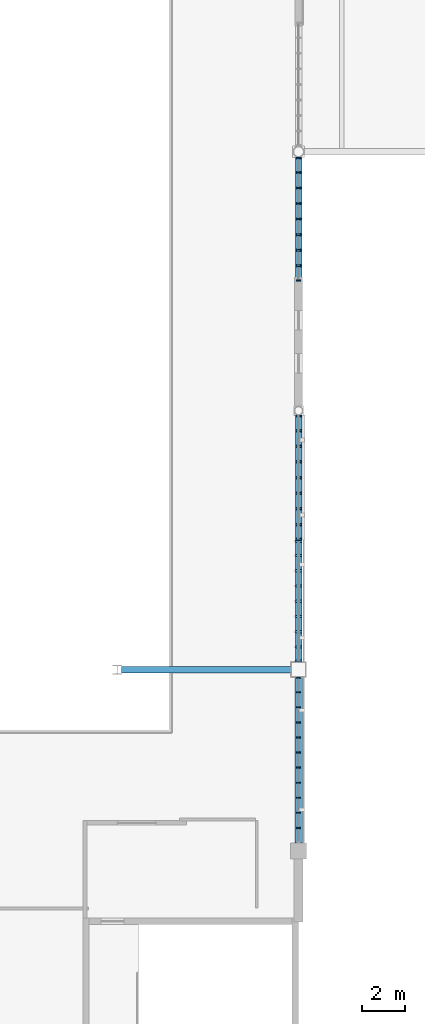
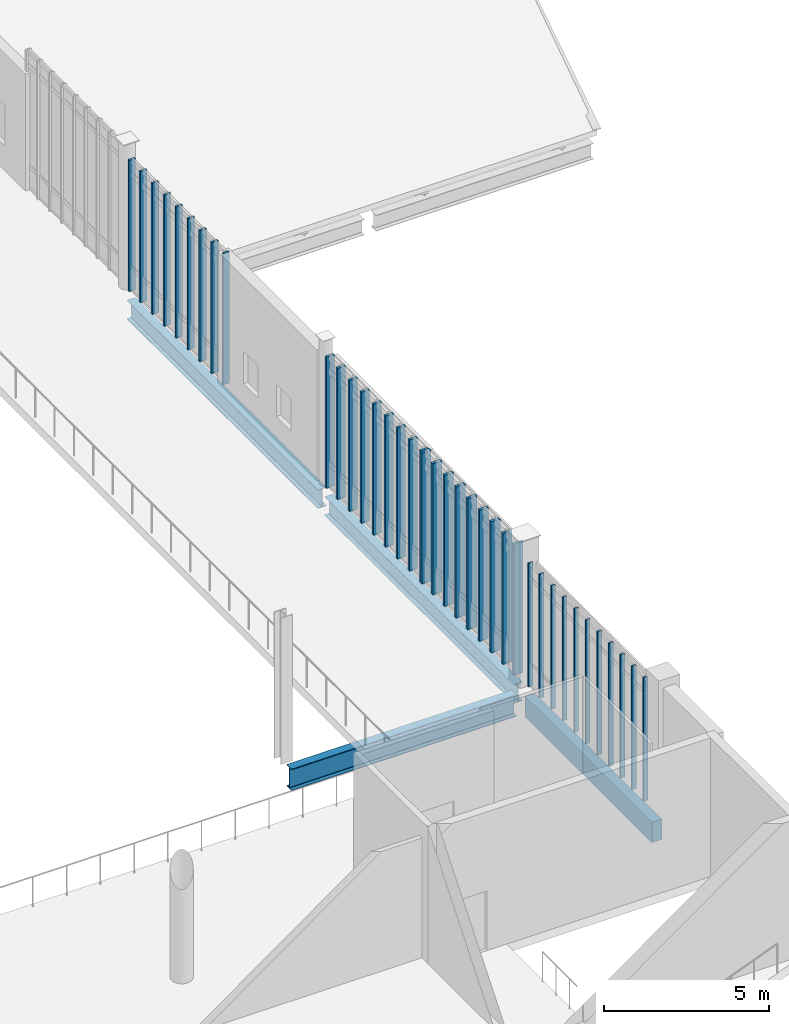
# One storey, part 16 of 135: 38 members, 4 beams, 4 elements without a shape of their own.
"""IFC4 building model written with IfcOpenShell, lengths in metres."""

from ifc_helpers import new_model, si_unit, direction, frame, origin, origin_2d, place, context, subcontext, project, spatial, rectangle, i_section, extrude, material, material_profile, profile_set, type_object, element, aggregate, save


model = new_model("IFC4")

# Units and contexts
model_context = context("Model", 3, precision=1e-05, world=origin(), true_north=direction((0.0, 1.0)))
body_context = subcontext(model_context, "Body", "Model", "MODEL_VIEW")
ifc_project = project(units=[si_unit("LENGTHUNIT", "METRE"), si_unit("AREAUNIT", "SQUARE_METRE"), si_unit("VOLUMEUNIT", "CUBIC_METRE"), si_unit("PLANEANGLEUNIT", "RADIAN"), si_unit("MASSUNIT", "GRAM", prefix="KILO")], contexts=[model_context])

# Site, building, storey
site_placement = place(None, origin())
site = spatial("IfcSite", under=ifc_project, at=site_placement, CompositionType="ELEMENT")
building_placement = place(site_placement, origin())
building = spatial("IfcBuilding", under=site, at=building_placement, Name="Larkvane Passage Sports Hall", CompositionType="ELEMENT")
storey_placement = place(building_placement, frame((0.0, 0.0, 16.800048828125)))
storey = spatial("IfcBuildingStorey", under=building, at=storey_placement, Name="L03", CompositionType="ELEMENT", Elevation=16.800048828125)

# Beams
ifc_material_1 = material(Name="Steel S460N", Category="steel")
ifc_material_profile_1 = material_profile(ifc_material_1, i_section(OverallWidth=0.300048828125, OverallDepth=0.69189453125, WebThickness=0.012939453125, FlangeThickness=0.02001953125, FilletRadius=0.02197265625, at=origin_2d()), Name="H-692x300x13x20")
ifc_profile_set_1 = profile_set([ifc_material_profile_1], Name="Steel S460N")
beam_type_1 = type_object("IfcBeamType", Name="BM-STL-H692", PredefinedType="BEAM", material=ifc_profile_set_1)
beam_1_placement = place(storey_placement, frame((93.60009765625, 39.949951171875, -0.68603515625), z_axis=(0.0, 1.0, 0.0), x_axis=(-1.0, 0.0, 0.0)))
element("IfcBeam", 1, at=beam_1_placement, inside=storey, type_object=beam_type_1, Name="Girder BM5-Y-L03-13-1034", PredefinedType="BEAM", context=body_context, shape_type="SweptSolid", body=[
    extrude(i_section(OverallWidth=0.300048828125, OverallDepth=0.69189453125, WebThickness=0.012939453125, FlangeThickness=0.02001953125, FilletRadius=0.02197265625, at=origin_2d()), origin(), (0.0, 0.0, 1.0), 11.44677734375),
])
ifc_material_profile_2 = material_profile(ifc_material_1, i_section(OverallWidth=0.300048828125, OverallDepth=0.699951171875, WebThickness=0.012939453125, FlangeThickness=0.02392578125, FilletRadius=0.02197265625, at=origin_2d()), Name="H-700x300x13x24")
ifc_profile_set_2 = profile_set([ifc_material_profile_2], Name="Steel S460N")
beam_type_2 = type_object("IfcBeamType", Name="BM-STL-H700", PredefinedType="BEAM", material=ifc_profile_set_2)
beam_2_placement = place(storey_placement, frame((93.60009765625, 51.80322265625, -0.68994140625), z_axis=(0.0, 1.0, 0.0), x_axis=(-1.0, 0.0, 0.0)))
element("IfcBeam", 2, at=beam_2_placement, inside=storey, type_object=beam_type_2, Name="Girder BM5-Y-L03-13-1035", PredefinedType="BEAM", context=body_context, shape_type="SweptSolid", body=[
    extrude(i_section(OverallWidth=0.300048828125, OverallDepth=0.699951171875, WebThickness=0.012939453125, FlangeThickness=0.02392578125, FilletRadius=0.02197265625, at=origin_2d()), origin(), (0.0, 0.0, 1.0), 11.542724609375),
])
ifc_material_profile_3 = material_profile(ifc_material_1, i_section(OverallWidth=0.300048828125, OverallDepth=0.800048828125, WebThickness=0.013916015625, FlangeThickness=0.02587890625, FilletRadius=0.02197265625, at=origin_2d()), Name="H-800x300x14x26")
ifc_profile_set_3 = profile_set([ifc_material_profile_3], Name="Steel S460N")
beam_type_3 = type_object("IfcBeamType", Name="BM-STL-H800", PredefinedType="BEAM", material=ifc_profile_set_3)
beam_3_placement = place(storey_placement, frame((85.402587890625, 39.60009765625, -0.739990234375), z_axis=(1.0, 0.0, 0.0), x_axis=(0.0, 1.0, 0.0)))
element("IfcBeam", 3, at=beam_3_placement, inside=storey, type_object=beam_type_3, Name="Girder BM5-X-L03-F-0986", PredefinedType="BEAM", context=body_context, shape_type="SweptSolid", body=[
    extrude(i_section(OverallWidth=0.300048828125, OverallDepth=0.800048828125, WebThickness=0.013916015625, FlangeThickness=0.02587890625, FilletRadius=0.02197265625, at=origin_2d()), origin(), (0.0, 0.0, 1.0), 7.847412109375),
])

# Curtain wall, members
ifc_material_2 = material(Name="Thermally broken aluminium and low-E glazing", Category="aluminium")
curtain_wall_type_1 = type_object("IfcCurtainWallType", Name="CW-CLINIC", PredefinedType="USERDEFINED", material=ifc_material_2)
curtain_wall_1_placement = place(storey_placement, origin())
curtain_wall_1 = element("IfcCurtainWall", 4, at=curtain_wall_1_placement, inside=storey, type_object=curtain_wall_type_1, Name="Curtain wall CW5-L03-147", ObjectType="UNITISED CURTAIN WALL", PredefinedType="USERDEFINED")
ifc_material_3 = material(Name="Anodised aluminium 6063-T6", Category="aluminium")
ifc_material_profile_4 = material_profile(ifc_material_3, rectangle(XDim=0.10009765625, YDim=0.320068359375, at=origin_2d()), Name="ALU-MUL-100x320")
ifc_profile_set_4 = profile_set([ifc_material_profile_4], Name="Anodised aluminium 6063-T6")
member_type_1 = type_object("IfcMemberType", Name="CW-MUL-100x320", PredefinedType="MULLION", material=ifc_profile_set_4)
member_1_placement = place(storey_placement, frame((93.60009765625, 45.550048828125, 0.0), z_axis=(0.0, 0.0, 1.0), x_axis=(0.0, -1.0, 0.0)))
member_1 = element("IfcMember", 5, at=member_1_placement, type_object=member_type_1, Name="CW-05 mullion 1", PredefinedType="MULLION", context=body_context, shape_type="SweptSolid", body=[
    extrude(rectangle(XDim=0.10009765625, YDim=0.320068359375, at=origin_2d()), origin(), (0.0, 0.0, 1.0), 4.843017578125),
])
member_2_placement = place(storey_placement, frame((93.60009765625, 44.893310546875, 0.0), z_axis=(0.0, 0.0, 1.0), x_axis=(0.0, -1.0, 0.0)))
member_2 = element("IfcMember", 6, at=member_2_placement, type_object=member_type_1, Name="CW-05 mullion 2", PredefinedType="MULLION", context=body_context, shape_type="SweptSolid", body=[
    extrude(rectangle(XDim=0.10009765625, YDim=0.320068359375, at=origin_2d()), origin(), (0.0, 0.0, 1.0), 4.843017578125),
])
member_3_placement = place(storey_placement, frame((93.60009765625, 44.1865234375, 0.0), z_axis=(0.0, 0.0, 1.0), x_axis=(0.0, -1.0, 0.0)))
member_3 = element("IfcMember", 7, at=member_3_placement, type_object=member_type_1, Name="CW-05 mullion 3", PredefinedType="MULLION", context=body_context, shape_type="SweptSolid", body=[
    extrude(rectangle(XDim=0.10009765625, YDim=0.320068359375, at=origin_2d()), origin(), (0.0, 0.0, 1.0), 4.843017578125),
])
member_4_placement = place(storey_placement, frame((93.60009765625, 43.479736328125, 0.0), z_axis=(0.0, 0.0, 1.0), x_axis=(0.0, -1.0, 0.0)))
member_4 = element("IfcMember", 8, at=member_4_placement, type_object=member_type_1, Name="CW-05 mullion 4", PredefinedType="MULLION", context=body_context, shape_type="SweptSolid", body=[
    extrude(rectangle(XDim=0.10009765625, YDim=0.320068359375, at=origin_2d()), origin(), (0.0, 0.0, 1.0), 4.843017578125),
])
member_5_placement = place(storey_placement, frame((93.60009765625, 42.77294921875, 0.0), z_axis=(0.0, 0.0, 1.0), x_axis=(0.0, -1.0, 0.0)))
member_5 = element("IfcMember", 9, at=member_5_placement, type_object=member_type_1, Name="CW-05 mullion 5", PredefinedType="MULLION", context=body_context, shape_type="SweptSolid", body=[
    extrude(rectangle(XDim=0.10009765625, YDim=0.320068359375, at=origin_2d()), origin(), (0.0, 0.0, 1.0), 4.843017578125),
])
member_6_placement = place(storey_placement, frame((93.60009765625, 42.066162109375, 0.0), z_axis=(0.0, 0.0, 1.0), x_axis=(0.0, -1.0, 0.0)))
member_6 = element("IfcMember", 10, at=member_6_placement, type_object=member_type_1, Name="CW-05 mullion 6", PredefinedType="MULLION", context=body_context, shape_type="SweptSolid", body=[
    extrude(rectangle(XDim=0.10009765625, YDim=0.320068359375, at=origin_2d()), origin(), (0.0, 0.0, 1.0), 4.843017578125),
])
member_7_placement = place(storey_placement, frame((93.60009765625, 41.359619140625, 0.0), z_axis=(0.0, 0.0, 1.0), x_axis=(0.0, -1.0, 0.0)))
member_7 = element("IfcMember", 11, at=member_7_placement, type_object=member_type_1, Name="CW-05 mullion 7", PredefinedType="MULLION", context=body_context, shape_type="SweptSolid", body=[
    extrude(rectangle(XDim=0.10009765625, YDim=0.320068359375, at=origin_2d()), origin(), (0.0, 0.0, 1.0), 4.843017578125),
])
member_8_placement = place(storey_placement, frame((93.60009765625, 40.65283203125, 0.0), z_axis=(0.0, 0.0, 1.0), x_axis=(0.0, -1.0, 0.0)))
member_8 = element("IfcMember", 12, at=member_8_placement, type_object=member_type_1, Name="CW-05 mullion 8", PredefinedType="MULLION", context=body_context, shape_type="SweptSolid", body=[
    extrude(rectangle(XDim=0.10009765625, YDim=0.320068359375, at=origin_2d()), origin(), (0.0, 0.0, 1.0), 4.843017578125),
])
member_9_placement = place(storey_placement, frame((93.60009765625, 39.99609375, 0.0), z_axis=(0.0, 0.0, 1.0), x_axis=(0.0, -1.0, 0.0)))
member_9 = element("IfcMember", 13, at=member_9_placement, type_object=member_type_1, Name="CW-05 mullion 9", PredefinedType="MULLION", context=body_context, shape_type="SweptSolid", body=[
    extrude(rectangle(XDim=0.10009765625, YDim=0.320068359375, at=origin_2d()), origin(), (0.0, 0.0, 1.0), 4.843017578125),
])
aggregate(curtain_wall_1, [member_1, member_2, member_3, member_4, member_5, member_6, member_7, member_8, member_9])

curtain_wall_type_2 = type_object("IfcCurtainWallType", Name="CW-UNIT-COURT", PredefinedType="USERDEFINED", material=ifc_material_2)
curtain_wall_2_placement = place(storey_placement, origin())
curtain_wall_2 = element("IfcCurtainWall", 14, at=curtain_wall_2_placement, inside=storey, type_object=curtain_wall_type_2, Name="Curtain wall CW5-L03-148", ObjectType="UNITISED CURTAIN WALL", PredefinedType="USERDEFINED")
ifc_material_profile_5 = material_profile(ifc_material_3, rectangle(XDim=0.06005859375, YDim=0.14990234375, at=origin_2d()), Name="ALU-MUL-60x150")
ifc_profile_set_5 = profile_set([ifc_material_profile_5], Name="Anodised aluminium 6063-T6")
member_type_2 = type_object("IfcMemberType", Name="CW-MUL-60x150", PredefinedType="MULLION", material=ifc_profile_set_5)
member_10_placement = place(storey_placement, frame((93.60009765625, 39.22412109375, 0.0), z_axis=(0.0, 0.0, 1.0), x_axis=(0.0, -1.0, 0.0)))
member_10 = element("IfcMember", 15, at=member_10_placement, type_object=member_type_2, Name="CW-01 mullion 1", PredefinedType="MULLION", context=body_context, shape_type="SweptSolid", body=[
    extrude(rectangle(XDim=0.06005859375, YDim=0.14990234375, at=origin_2d()), origin(), (0.0, 0.0, 1.0), 4.557861328125),
])
member_11_placement = place(storey_placement, frame((93.60009765625, 38.5556640625, 0.0), z_axis=(0.0, 0.0, 1.0), x_axis=(0.0, -1.0, 0.0)))
member_11 = element("IfcMember", 16, at=member_11_placement, type_object=member_type_2, Name="CW-01 mullion 2", PredefinedType="MULLION", context=body_context, shape_type="SweptSolid", body=[
    extrude(rectangle(XDim=0.06005859375, YDim=0.14990234375, at=origin_2d()), origin(), (0.0, 0.0, 1.0), 4.557861328125),
])
member_12_placement = place(storey_placement, frame((93.60009765625, 37.857177734375, 0.0), z_axis=(0.0, 0.0, 1.0), x_axis=(0.0, -1.0, 0.0)))
member_12 = element("IfcMember", 17, at=member_12_placement, type_object=member_type_2, Name="CW-01 mullion 3", PredefinedType="MULLION", context=body_context, shape_type="SweptSolid", body=[
    extrude(rectangle(XDim=0.06005859375, YDim=0.14990234375, at=origin_2d()), origin(), (0.0, 0.0, 1.0), 4.557861328125),
])
member_13_placement = place(storey_placement, frame((93.60009765625, 37.15869140625, 0.0), z_axis=(0.0, 0.0, 1.0), x_axis=(0.0, -1.0, 0.0)))
member_13 = element("IfcMember", 18, at=member_13_placement, type_object=member_type_2, Name="CW-01 mullion 4", PredefinedType="MULLION", context=body_context, shape_type="SweptSolid", body=[
    extrude(rectangle(XDim=0.06005859375, YDim=0.14990234375, at=origin_2d()), origin(), (0.0, 0.0, 1.0), 4.557861328125),
])
member_14_placement = place(storey_placement, frame((93.60009765625, 36.460205078125, 0.0), z_axis=(0.0, 0.0, 1.0), x_axis=(0.0, -1.0, 0.0)))
member_14 = element("IfcMember", 19, at=member_14_placement, type_object=member_type_2, Name="CW-01 mullion 5", PredefinedType="MULLION", context=body_context, shape_type="SweptSolid", body=[
    extrude(rectangle(XDim=0.06005859375, YDim=0.14990234375, at=origin_2d()), origin(), (0.0, 0.0, 1.0), 4.557861328125),
])
member_15_placement = place(storey_placement, frame((93.60009765625, 35.76171875, 0.0), z_axis=(0.0, 0.0, 1.0), x_axis=(0.0, -1.0, 0.0)))
member_15 = element("IfcMember", 20, at=member_15_placement, type_object=member_type_2, Name="CW-01 mullion 6", PredefinedType="MULLION", context=body_context, shape_type="SweptSolid", body=[
    extrude(rectangle(XDim=0.06005859375, YDim=0.14990234375, at=origin_2d()), origin(), (0.0, 0.0, 1.0), 4.557861328125),
])
member_16_placement = place(storey_placement, frame((93.60009765625, 35.063232421875, 0.0), z_axis=(0.0, 0.0, 1.0), x_axis=(0.0, -1.0, 0.0)))
member_16 = element("IfcMember", 21, at=member_16_placement, type_object=member_type_2, Name="CW-01 mullion 7", PredefinedType="MULLION", context=body_context, shape_type="SweptSolid", body=[
    extrude(rectangle(XDim=0.06005859375, YDim=0.14990234375, at=origin_2d()), origin(), (0.0, 0.0, 1.0), 4.557861328125),
])
member_17_placement = place(storey_placement, frame((93.60009765625, 34.36474609375, 0.0), z_axis=(0.0, 0.0, 1.0), x_axis=(0.0, -1.0, 0.0)))
member_17 = element("IfcMember", 22, at=member_17_placement, type_object=member_type_2, Name="CW-01 mullion 8", PredefinedType="MULLION", context=body_context, shape_type="SweptSolid", body=[
    extrude(rectangle(XDim=0.06005859375, YDim=0.14990234375, at=origin_2d()), origin(), (0.0, 0.0, 1.0), 4.557861328125),
])
member_18_placement = place(storey_placement, frame((93.60009765625, 33.666259765625, 0.0), z_axis=(0.0, 0.0, 1.0), x_axis=(0.0, -1.0, 0.0)))
member_18 = element("IfcMember", 23, at=member_18_placement, type_object=member_type_2, Name="CW-01 mullion 9", PredefinedType="MULLION", context=body_context, shape_type="SweptSolid", body=[
    extrude(rectangle(XDim=0.06005859375, YDim=0.14990234375, at=origin_2d()), origin(), (0.0, 0.0, 1.0), 4.557861328125),
])
member_19_placement = place(storey_placement, frame((93.60009765625, 32.968017578125, 0.0), z_axis=(0.0, 0.0, 1.0), x_axis=(0.0, -1.0, 0.0)))
member_19 = element("IfcMember", 24, at=member_19_placement, type_object=member_type_2, Name="CW-01 mullion 10", PredefinedType="MULLION", context=body_context, shape_type="SweptSolid", body=[
    extrude(rectangle(XDim=0.06005859375, YDim=0.14990234375, at=origin_2d()), origin(), (0.0, 0.0, 1.0), 4.557861328125),
])
member_20_placement = place(storey_placement, frame((93.60009765625, 32.26953125, 0.0), z_axis=(0.0, 0.0, 1.0), x_axis=(0.0, -1.0, 0.0)))
member_20 = element("IfcMember", 25, at=member_20_placement, type_object=member_type_2, Name="CW-01 mullion 11", PredefinedType="MULLION", context=body_context, shape_type="SweptSolid", body=[
    extrude(rectangle(XDim=0.06005859375, YDim=0.14990234375, at=origin_2d()), origin(), (0.0, 0.0, 1.0), 4.557861328125),
])
aggregate(curtain_wall_2, [member_10, member_11, member_12, member_13, member_14, member_15, member_16, member_17, member_18, member_19, member_20])

curtain_wall_type_3 = type_object("IfcCurtainWallType", Name="CW-UNIT-VEIL", PredefinedType="USERDEFINED", material=ifc_material_2)
curtain_wall_3_placement = place(storey_placement, origin())
curtain_wall_3 = element("IfcCurtainWall", 26, at=curtain_wall_3_placement, inside=storey, type_object=curtain_wall_type_3, Name="Curtain wall CW5-L03-145", ObjectType="UNITISED CURTAIN WALL", PredefinedType="USERDEFINED")
ifc_material_profile_6 = material_profile(ifc_material_3, rectangle(XDim=0.074951171875, YDim=0.22509765625, at=origin_2d()), Name="ALU-MUL-75x225")
ifc_profile_set_6 = profile_set([ifc_material_profile_6], Name="Anodised aluminium 6063-T6")
member_type_3 = type_object("IfcMemberType", Name="CW-MUL-75x225", PredefinedType="MULLION", material=ifc_profile_set_6)
member_21_placement = place(storey_placement, frame((93.60009765625, 63.3125, 0.0), z_axis=(0.0, 0.0, 1.0), x_axis=(0.0, -1.0, 0.0)))
member_21 = element("IfcMember", 27, at=member_21_placement, type_object=member_type_3, Name="CW-02 mullion 1", PredefinedType="MULLION", context=body_context, shape_type="SweptSolid", body=[
    extrude(rectangle(XDim=0.074951171875, YDim=0.22509765625, at=origin_2d()), origin(), (0.0, 0.0, 1.0), 4.843017578125),
])
member_22_placement = place(storey_placement, frame((93.60009765625, 62.63134765625, 0.0), z_axis=(0.0, 0.0, 1.0), x_axis=(0.0, -1.0, 0.0)))
member_22 = element("IfcMember", 28, at=member_22_placement, type_object=member_type_3, Name="CW-02 mullion 2", PredefinedType="MULLION", context=body_context, shape_type="SweptSolid", body=[
    extrude(rectangle(XDim=0.074951171875, YDim=0.22509765625, at=origin_2d()), origin(), (0.0, 0.0, 1.0), 4.843017578125),
])
member_23_placement = place(storey_placement, frame((93.60009765625, 61.91259765625, 0.0), z_axis=(0.0, 0.0, 1.0), x_axis=(0.0, -1.0, 0.0)))
member_23 = element("IfcMember", 29, at=member_23_placement, type_object=member_type_3, Name="CW-02 mullion 3", PredefinedType="MULLION", context=body_context, shape_type="SweptSolid", body=[
    extrude(rectangle(XDim=0.074951171875, YDim=0.22509765625, at=origin_2d()), origin(), (0.0, 0.0, 1.0), 4.843017578125),
])
member_24_placement = place(storey_placement, frame((93.60009765625, 61.19384765625, 0.0), z_axis=(0.0, 0.0, 1.0), x_axis=(0.0, -1.0, 0.0)))
member_24 = element("IfcMember", 30, at=member_24_placement, type_object=member_type_3, Name="CW-02 mullion 4", PredefinedType="MULLION", context=body_context, shape_type="SweptSolid", body=[
    extrude(rectangle(XDim=0.074951171875, YDim=0.22509765625, at=origin_2d()), origin(), (0.0, 0.0, 1.0), 4.843017578125),
])
member_25_placement = place(storey_placement, frame((93.60009765625, 60.47509765625, 0.0), z_axis=(0.0, 0.0, 1.0), x_axis=(0.0, -1.0, 0.0)))
member_25 = element("IfcMember", 31, at=member_25_placement, type_object=member_type_3, Name="CW-02 mullion 5", PredefinedType="MULLION", context=body_context, shape_type="SweptSolid", body=[
    extrude(rectangle(XDim=0.074951171875, YDim=0.22509765625, at=origin_2d()), origin(), (0.0, 0.0, 1.0), 4.843017578125),
])
member_26_placement = place(storey_placement, frame((93.60009765625, 59.75634765625, 0.0), z_axis=(0.0, 0.0, 1.0), x_axis=(0.0, -1.0, 0.0)))
member_26 = element("IfcMember", 32, at=member_26_placement, type_object=member_type_3, Name="CW-02 mullion 6", PredefinedType="MULLION", context=body_context, shape_type="SweptSolid", body=[
    extrude(rectangle(XDim=0.074951171875, YDim=0.22509765625, at=origin_2d()), origin(), (0.0, 0.0, 1.0), 4.843017578125),
])
member_27_placement = place(storey_placement, frame((93.60009765625, 59.03759765625, 0.0), z_axis=(0.0, 0.0, 1.0), x_axis=(0.0, -1.0, 0.0)))
member_27 = element("IfcMember", 33, at=member_27_placement, type_object=member_type_3, Name="CW-02 mullion 7", PredefinedType="MULLION", context=body_context, shape_type="SweptSolid", body=[
    extrude(rectangle(XDim=0.074951171875, YDim=0.22509765625, at=origin_2d()), origin(), (0.0, 0.0, 1.0), 4.843017578125),
])
member_28_placement = place(storey_placement, frame((93.60009765625, 58.31884765625, 0.0), z_axis=(0.0, 0.0, 1.0), x_axis=(0.0, -1.0, 0.0)))
member_28 = element("IfcMember", 34, at=member_28_placement, type_object=member_type_3, Name="CW-02 mullion 8", PredefinedType="MULLION", context=body_context, shape_type="SweptSolid", body=[
    extrude(rectangle(XDim=0.074951171875, YDim=0.22509765625, at=origin_2d()), origin(), (0.0, 0.0, 1.0), 4.843017578125),
])
member_29_placement = place(storey_placement, frame((93.60009765625, 57.637451171875, 0.0), z_axis=(0.0, 0.0, 1.0), x_axis=(0.0, -1.0, 0.0)))
member_29 = element("IfcMember", 35, at=member_29_placement, type_object=member_type_3, Name="CW-02 mullion 9", PredefinedType="MULLION", context=body_context, shape_type="SweptSolid", body=[
    extrude(rectangle(XDim=0.074951171875, YDim=0.22509765625, at=origin_2d()), origin(), (0.0, 0.0, 1.0), 4.843017578125),
])
aggregate(curtain_wall_3, [member_21, member_22, member_23, member_24, member_25, member_26, member_27, member_28, member_29])

curtain_wall_type_4 = type_object("IfcCurtainWallType", Name="CW-STICK-FOYER", PredefinedType="USERDEFINED", material=ifc_material_2)
curtain_wall_4_placement = place(storey_placement, origin())
curtain_wall_4 = element("IfcCurtainWall", 36, at=curtain_wall_4_placement, inside=storey, type_object=curtain_wall_type_4, Name="Curtain wall CW5-L03-146", ObjectType="STICK CURTAIN WALL", PredefinedType="USERDEFINED")
ifc_material_profile_7 = material_profile(ifc_material_3, rectangle(XDim=0.090087890625, YDim=0.280029296875, at=origin_2d()), Name="ALU-MUL-90x280")
ifc_profile_set_7 = profile_set([ifc_material_profile_7], Name="Anodised aluminium 6063-T6")
member_type_4 = type_object("IfcMemberType", Name="CW-MUL-90x280", PredefinedType="MULLION", material=ifc_profile_set_7)
member_30_placement = place(storey_placement, frame((93.60009765625, 51.355712890625, 0.0), z_axis=(0.0, 0.0, 1.0), x_axis=(0.0, -1.0, 0.0)))
member_30 = element("IfcMember", 37, at=member_30_placement, type_object=member_type_4, Name="CW-03 mullion 1", PredefinedType="MULLION", context=body_context, shape_type="SweptSolid", body=[
    extrude(rectangle(XDim=0.090087890625, YDim=0.280029296875, at=origin_2d()), origin(), (0.0, 0.0, 1.0), 4.843017578125),
])
member_31_placement = place(storey_placement, frame((93.60009765625, 50.67578125, 0.0), z_axis=(0.0, 0.0, 1.0), x_axis=(0.0, -1.0, 0.0)))
member_31 = element("IfcMember", 38, at=member_31_placement, type_object=member_type_4, Name="CW-03 mullion 2", PredefinedType="MULLION", context=body_context, shape_type="SweptSolid", body=[
    extrude(rectangle(XDim=0.090087890625, YDim=0.280029296875, at=origin_2d()), origin(), (0.0, 0.0, 1.0), 4.843017578125),
])
member_32_placement = place(storey_placement, frame((93.60009765625, 49.95068359375, 0.0), z_axis=(0.0, 0.0, 1.0), x_axis=(0.0, -1.0, 0.0)))
member_32 = element("IfcMember", 39, at=member_32_placement, type_object=member_type_4, Name="CW-03 mullion 3", PredefinedType="MULLION", context=body_context, shape_type="SweptSolid", body=[
    extrude(rectangle(XDim=0.090087890625, YDim=0.280029296875, at=origin_2d()), origin(), (0.0, 0.0, 1.0), 4.843017578125),
])
member_33_placement = place(storey_placement, frame((93.60009765625, 49.2255859375, 0.0), z_axis=(0.0, 0.0, 1.0), x_axis=(0.0, -1.0, 0.0)))
member_33 = element("IfcMember", 40, at=member_33_placement, type_object=member_type_4, Name="CW-03 mullion 4", PredefinedType="MULLION", context=body_context, shape_type="SweptSolid", body=[
    extrude(rectangle(XDim=0.090087890625, YDim=0.280029296875, at=origin_2d()), origin(), (0.0, 0.0, 1.0), 4.843017578125),
])
member_34_placement = place(storey_placement, frame((93.60009765625, 48.50048828125, 0.0), z_axis=(0.0, 0.0, 1.0), x_axis=(0.0, -1.0, 0.0)))
member_34 = element("IfcMember", 41, at=member_34_placement, type_object=member_type_4, Name="CW-03 mullion 5", PredefinedType="MULLION", context=body_context, shape_type="SweptSolid", body=[
    extrude(rectangle(XDim=0.090087890625, YDim=0.280029296875, at=origin_2d()), origin(), (0.0, 0.0, 1.0), 4.843017578125),
])
member_35_placement = place(storey_placement, frame((93.60009765625, 47.775390625, 0.0), z_axis=(0.0, 0.0, 1.0), x_axis=(0.0, -1.0, 0.0)))
member_35 = element("IfcMember", 42, at=member_35_placement, type_object=member_type_4, Name="CW-03 mullion 6", PredefinedType="MULLION", context=body_context, shape_type="SweptSolid", body=[
    extrude(rectangle(XDim=0.090087890625, YDim=0.280029296875, at=origin_2d()), origin(), (0.0, 0.0, 1.0), 4.843017578125),
])
member_36_placement = place(storey_placement, frame((93.60009765625, 47.05029296875, 0.0), z_axis=(0.0, 0.0, 1.0), x_axis=(0.0, -1.0, 0.0)))
member_36 = element("IfcMember", 43, at=member_36_placement, type_object=member_type_4, Name="CW-03 mullion 7", PredefinedType="MULLION", context=body_context, shape_type="SweptSolid", body=[
    extrude(rectangle(XDim=0.090087890625, YDim=0.280029296875, at=origin_2d()), origin(), (0.0, 0.0, 1.0), 4.843017578125),
])
member_37_placement = place(storey_placement, frame((93.60009765625, 46.3251953125, 0.0), z_axis=(0.0, 0.0, 1.0), x_axis=(0.0, -1.0, 0.0)))
member_37 = element("IfcMember", 44, at=member_37_placement, type_object=member_type_4, Name="CW-03 mullion 8", PredefinedType="MULLION", context=body_context, shape_type="SweptSolid", body=[
    extrude(rectangle(XDim=0.090087890625, YDim=0.280029296875, at=origin_2d()), origin(), (0.0, 0.0, 1.0), 4.843017578125),
])
member_38_placement = place(storey_placement, frame((93.60009765625, 45.64501953125, 0.0), z_axis=(0.0, 0.0, 1.0), x_axis=(0.0, -1.0, 0.0)))
member_38 = element("IfcMember", 45, at=member_38_placement, type_object=member_type_4, Name="CW-03 mullion 9", PredefinedType="MULLION", context=body_context, shape_type="SweptSolid", body=[
    extrude(rectangle(XDim=0.090087890625, YDim=0.280029296875, at=origin_2d()), origin(), (0.0, 0.0, 1.0), 4.843017578125),
])
aggregate(curtain_wall_4, [member_30, member_31, member_32, member_33, member_34, member_35, member_36, member_37, member_38])

# Beam
ifc_material_4 = material(Name="Concrete C40/50", Category="concrete")
ifc_material_profile_8 = material_profile(ifc_material_4, rectangle(XDim=0.35009765625, YDim=0.75, at=origin_2d()), Name="RC-SP-350x750")
ifc_profile_set_8 = profile_set([ifc_material_profile_8], Name="Concrete C40/50")
beam_type_4 = type_object("IfcBeamType", Name="SP-RC-350x750", PredefinedType="SPANDREL", material=ifc_profile_set_8)
beam_4_placement = place(storey_placement, frame((93.60009765625, 31.574951171875, -0.715087890625), z_axis=(0.0, 1.0, 0.0), x_axis=(-1.0, 0.0, 0.0)))
element("IfcBeam", 46, at=beam_4_placement, inside=storey, type_object=beam_type_4, Name="Girder BM5-Y-L03-13-1033", PredefinedType="SPANDREL", context=body_context, shape_type="SweptSolid", body=[
    extrude(rectangle(XDim=0.35009765625, YDim=0.75, at=origin_2d()), origin(), (0.0, 0.0, 1.0), 7.675048828125),
])

save(model, "model.ifc")
